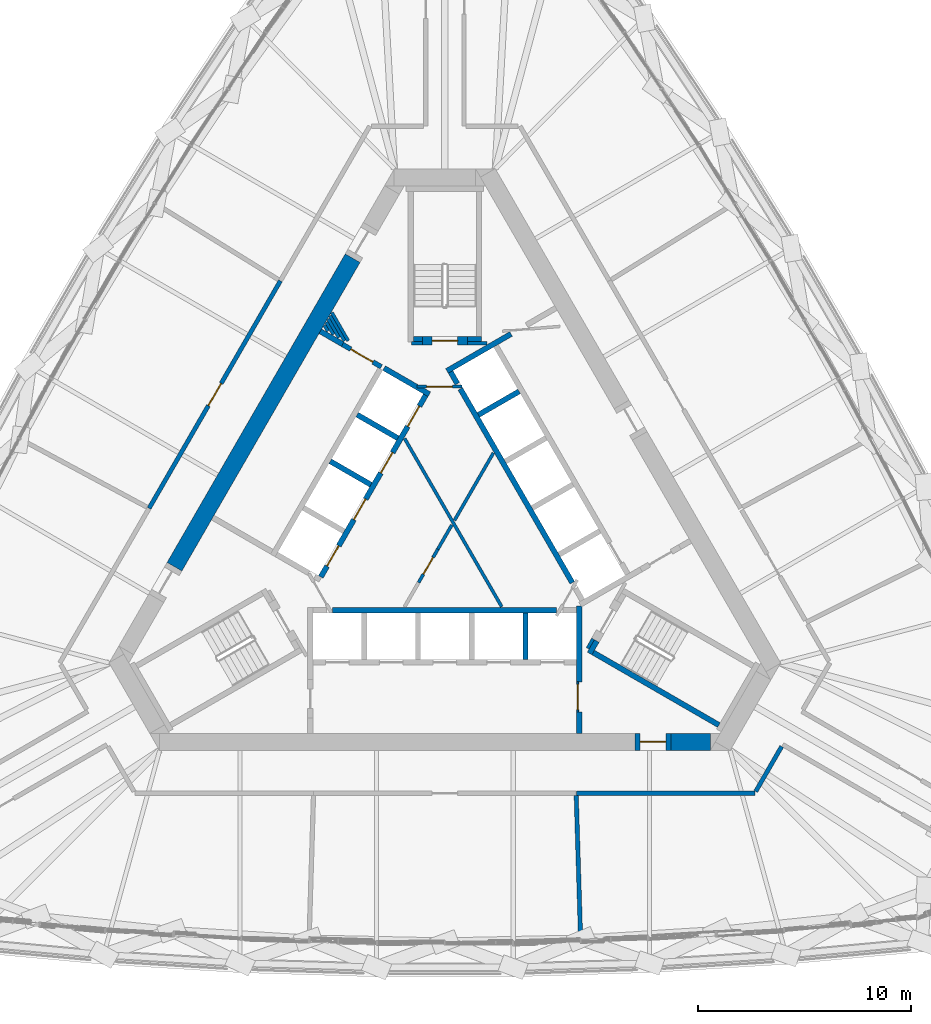
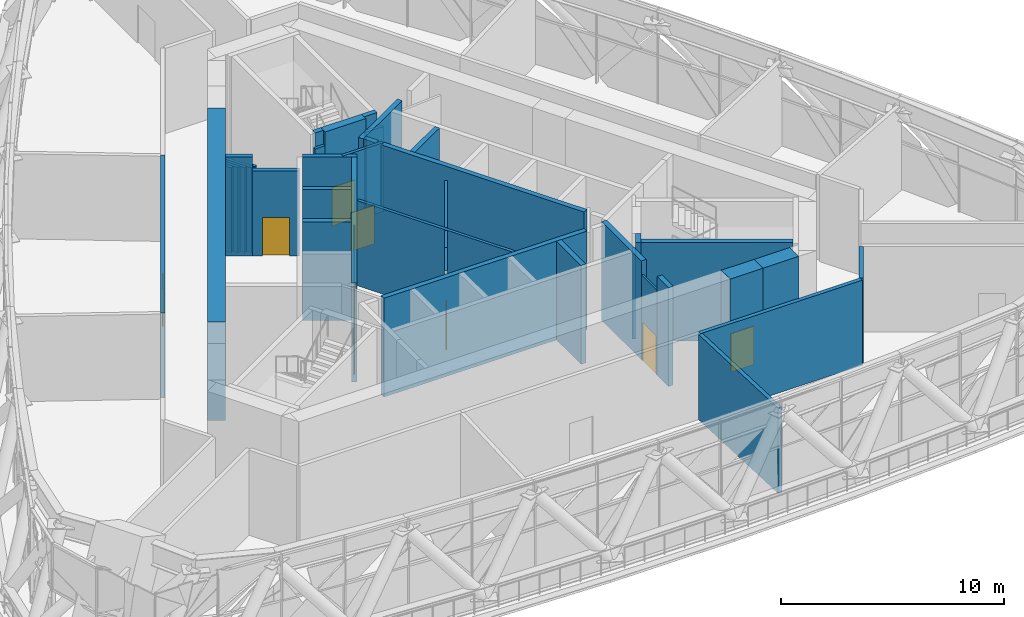
# One storey, part 23 of 35: 40 walls, 11 doors, 11 openings.
"""IFC4 building model written with IfcOpenShell, lengths in metres."""

from ifc_helpers import new_model, si_unit, direction, frame, frame_2d, origin, place, context, subcontext, project, spatial, polyline, rectangle, outline, extrude, material, layer, layer_set, type_object, element, fill, save


model = new_model("IFC4")

# Units and contexts
model_context = context("Model", 3, precision=1e-05, world=origin(), true_north=direction((0.0, 1.0)))
body_context = subcontext(model_context, "Body", "Model", "MODEL_VIEW")
ifc_project = project(units=[si_unit("LENGTHUNIT", "METRE"), si_unit("AREAUNIT", "SQUARE_METRE"), si_unit("VOLUMEUNIT", "CUBIC_METRE"), si_unit("PLANEANGLEUNIT", "RADIAN"), si_unit("MASSUNIT", "GRAM", prefix="KILO")], contexts=[model_context])

# Site, building, storey
site_placement = place(None, origin())
site = spatial("IfcSite", under=ifc_project, at=site_placement, CompositionType="ELEMENT")
building_placement = place(site_placement, origin())
building = spatial("IfcBuilding", under=site, at=building_placement, Name="Mestral Congress Tower", CompositionType="ELEMENT")
storey_placement = place(building_placement, frame((0.0, 0.0, 196.199951171875)))
storey = spatial("IfcBuildingStorey", under=building, at=storey_placement, Name="L46", CompositionType="ELEMENT", Elevation=196.199951171875)

# Walls
ifc_material_1 = material(Name="Fire-rated board partition")
ifc_layer_1 = layer(ifc_material_1, 0.14990234375)
ifc_layer_set_1 = layer_set([ifc_layer_1], Name="Fire-rated board partition")
wall_type_1 = type_object("IfcWallType", Name="Core partition 150", PredefinedType="PARTITIONING", material=ifc_layer_set_1)
wall_1_placement = place(storey_placement, frame((-5.2939453125, 10.067138671875, 0.0), z_axis=(0.0, 0.0, 1.0), x_axis=(0.500054140411, -0.865994143547, 0.0)))
element("IfcWall", 1, at=wall_1_placement, inside=storey, type_object=wall_type_1, Name="L46 core wall", PredefinedType="PARTITIONING", context=body_context, shape_type="SweptSolid", body=[
    extrude(rectangle(XDim=1.529052734375, YDim=0.14990234375, at=frame_2d((0.7646484375, 0.0))), origin(), (0.0, 0.0, 1.0), 4.650146484375),
])
wall_2_placement = place(storey_placement, frame((-5.380615234375, 9.917236328125, 0.0), z_axis=(0.0, 0.0, 1.0), x_axis=(0.500136970483, -0.865946309396, 0.0)))
element("IfcWall", 2, at=wall_2_placement, inside=storey, type_object=wall_type_1, Name="L46 core wall", PredefinedType="PARTITIONING", context=body_context, shape_type="SweptSolid", body=[
    extrude(rectangle(XDim=1.359375, YDim=0.14990234375, at=frame_2d((0.6796875, 0.0))), origin(), (0.0, 0.0, 1.0), 4.650146484375),
])
wall_3_placement = place(storey_placement, frame((-5.467041015625, 9.76708984375, 0.0), z_axis=(0.0, 0.0, 1.0), x_axis=(0.500168849293, -0.86592789665, 0.0)))
element("IfcWall", 3, at=wall_3_placement, inside=storey, type_object=wall_type_1, Name="L46 core wall", PredefinedType="PARTITIONING", context=body_context, shape_type="SweptSolid", body=[
    extrude(rectangle(XDim=1.010009765625, YDim=0.14990234375, at=frame_2d((0.5048828125, 0.0))), origin(), (0.0, 0.0, 1.0), 4.650146484375),
])
wall_4_placement = place(storey_placement, frame((-5.5537109375, 9.6171875, 0.0), z_axis=(0.0, 0.0, 1.0), x_axis=(0.500253084543, -0.86587923604, 0.0)))
element("IfcWall", 4, at=wall_4_placement, inside=storey, type_object=wall_type_1, Name="L46 core wall", PredefinedType="PARTITIONING", context=body_context, shape_type="SweptSolid", body=[
    extrude(rectangle(XDim=0.663818359375, YDim=0.14990234375, at=frame_2d((0.33203125, 0.0))), origin(), (0.0, 0.0, 1.0), 4.650146484375),
])
wall_5_placement = place(storey_placement, frame((-5.640380859375, 9.46728515625, 0.0), z_axis=(0.0, 0.0, 1.0), x_axis=(0.499944387978, -0.86605750902, 0.0)))
element("IfcWall", 5, at=wall_5_placement, inside=storey, type_object=wall_type_1, Name="L46 core wall", PredefinedType="PARTITIONING", context=body_context, shape_type="SweptSolid", body=[
    extrude(rectangle(XDim=0.3173828125, YDim=0.14990234375, at=frame_2d((0.15869140625, 0.0))), origin(), (0.0, 0.0, 1.0), 4.650146484375),
])
wall_6_placement = place(storey_placement, frame((1.050048828125, 8.62548828125, 0.0), z_axis=(0.0, 0.0, 1.0), x_axis=(1.0, 0.0, 0.0)))
element("IfcWall", 6, at=wall_6_placement, inside=storey, type_object=wall_type_1, Name="L46 core wall", PredefinedType="PARTITIONING", context=body_context, shape_type="SweptSolid", body=[
    extrude(rectangle(XDim=0.9287109375, YDim=0.14990234375, at=frame_2d((0.46435546875, 0.0))), origin(), (0.0, 0.0, 1.0), 4.650146484375),
])
for number, where, z_axis, x_axis, name in (
    (7, (-1.56396484375, 8.62548828125, 0.0), (0.0, 0.0, 1.0), (1.0, 0.0, 0.0), "L46 core wall"),
    (8, (6.94482421875, -5.22216796875, 0.0), (0.0, 0.0, 1.0), (-0.499818422106, -0.866130212453, 0.0), "L46 core wall"),
):
    element("IfcWall", number, at=place(storey_placement, frame(where, z_axis=z_axis, x_axis=x_axis)), inside=storey, type_object=wall_type_1, Name=name, PredefinedType="PARTITIONING", context=body_context, shape_type="SweptSolid", body=[
        extrude(rectangle(XDim=0.513916015625, YDim=0.14990234375, at=frame_2d((0.2568359375, 0.0))), origin(), (0.0, 0.0, 1.0), 4.650146484375),
    ])
wall_7_placement = place(storey_placement, frame((-1.886962890625, 4.168212890625, 0.0), z_axis=(0.0, 0.0, 1.0), x_axis=(0.499997069472, -0.866027095719, 0.0)))
element("IfcWall", 9, at=wall_7_placement, inside=storey, type_object=wall_type_1, Name="L46 core wall", PredefinedType="PARTITIONING", context=body_context, shape_type="SweptSolid", body=[
    extrude(rectangle(XDim=9.1064453125, YDim=0.14990234375, at=frame_2d((4.55322265625, 0.0))), origin(), (0.0, 0.0, 1.0), 4.650146484375),
])
wall_8_placement = place(storey_placement, frame((-0.329345703125, -1.0205078125, 0.0), z_axis=(0.0, 0.0, 1.0), x_axis=(0.500033191285, 0.866006239939, 0.0)))
element("IfcWall", 10, at=wall_8_placement, inside=storey, type_object=wall_type_1, Name="L46 core wall", PredefinedType="PARTITIONING", context=body_context, shape_type="SweptSolid", body=[
    extrude(rectangle(XDim=1.31494140625, YDim=0.14990234375, at=frame_2d((0.657470703125, 0.0))), origin(), (0.0, 0.0, 1.0), 4.650146484375),
])
wall_9_placement = place(storey_placement, frame((2.276611328125, 3.4931640625, 0.0), z_axis=(0.0, 0.0, 1.0), x_axis=(-0.499994550825, -0.866028549844, 0.0)))
element("IfcWall", 11, at=wall_9_placement, inside=storey, type_object=wall_type_1, Name="L46 core wall", PredefinedType="PARTITIONING", context=body_context, shape_type="SweptSolid", body=[
    extrude(rectangle(XDim=3.650390625, YDim=0.14990234375, at=frame_2d((1.8251953125, 0.0))), origin(), (0.0, 0.0, 1.0), 4.650146484375),
])

# Wall, opening, door
wall_10_placement = place(storey_placement, frame((-1.2294921875, -2.579345703125, 0.0), z_axis=(0.0, 0.0, 1.0), x_axis=(0.500062916607, 0.865989075817, 0.0)))
wall_10 = element("IfcWall", 12, at=wall_10_placement, inside=storey, type_object=wall_type_1, Name="L46 door wall", PredefinedType="PARTITIONING", context=body_context, shape_type="SweptSolid", body=[
    extrude(rectangle(XDim=1.800048828125, YDim=0.14990234375, at=frame_2d((0.89990234375, 0.0))), origin(), (0.0, 0.0, 1.0), 4.650146484375),
])
opening_1_placement = place(wall_10_placement, frame((0.449951171875, 0.0, 0.0)))
opening_1 = element("IfcOpeningElement", 13, at=opening_1_placement, cuts=wall_10, Name="Opening SD-HUB2", PredefinedType="OPENING", context=body_context, shape_type="SweptSolid", body=[
    extrude(rectangle(XDim=0.89990234375, YDim=2.10009765625, at=frame_2d((0.449951171875, 1.050048828125))), frame((0.0, 0.0849609375, 0.0), z_axis=(0.0, -1.0, 0.0), x_axis=(1.0, 0.0, 0.0)), (0.0, 0.0, 1.0), 0.169921875),
])
ifc_material_2 = material(Name="Fire-rated steel door set", Category="steel")
door_type_1 = type_object("IfcDoorType", Name="Core door SR 900x2100", OperationType="SINGLE_SWING_LEFT", PredefinedType="DOOR", material=ifc_material_2)
door_1_placement = place(opening_1_placement, origin())
door_1 = element("IfcDoor", 14, at=door_1_placement, inside=storey, type_object=door_type_1, Name="Door SD-HUB2", OperationType="SINGLE_SWING_LEFT", OverallHeight=2.10009765625, OverallWidth=0.89990234375, PredefinedType="DOOR", context=body_context, shape_type="SweptSolid", body=[
    extrude(rectangle(XDim=0.89990234375, YDim=2.10009765625, at=frame_2d((0.449951171875, 1.050048828125))), frame((0.0, 0.02490234375, 0.0), z_axis=(0.0, -1.0, 0.0), x_axis=(1.0, 0.0, 0.0)), (0.0, 0.0, 1.0), 0.050048828125),
])
fill(opening_1, door_1)

ifc_layer_2 = layer(ifc_material_1, 0.22607421875)
ifc_layer_set_2 = layer_set([ifc_layer_2], Name="Fire-rated board partition")
wall_type_2 = type_object("IfcWallType", Name="Core partition 150 door-wall 226", PredefinedType="PARTITIONING", material=ifc_layer_set_2)
wall_11_placement = place(storey_placement, frame((-4.796142578125, 8.5751953125, 0.0), z_axis=(0.0, 0.0, 1.0), x_axis=(0.866009402589, -0.500027713859, 0.0)))
wall_11 = element("IfcWall", 15, at=wall_11_placement, inside=storey, type_object=wall_type_2, Name="L46 door wall", PredefinedType="PARTITIONING", context=body_context, shape_type="SweptSolid", body=[
    extrude(rectangle(XDim=2.10009765625, YDim=0.226318359375, at=frame_2d((1.050048828125, 0.0))), origin(), (0.0, 0.0, 1.0), 4.650146484375),
])
opening_2_placement = place(wall_11_placement, frame((0.449951171875, 0.0, 0.0)))
opening_2 = element("IfcOpeningElement", 16, at=opening_2_placement, cuts=wall_11, Name="Opening LB2-WL2", PredefinedType="OPENING", context=body_context, shape_type="SweptSolid", body=[
    extrude(rectangle(XDim=1.199951171875, YDim=2.10009765625, at=frame_2d((0.60009765625, 1.050048828125))), frame((0.0, 0.123046875, 0.0), z_axis=(0.0, -1.0, 0.0), x_axis=(1.0, 0.0, 0.0)), (0.0, 0.0, 1.0), 0.246337890625),
])
door_type_2 = type_object("IfcDoorType", Name="Core door LB 1200x2100", OperationType="SINGLE_SWING_LEFT", PredefinedType="DOOR", material=ifc_material_2)
door_2_placement = place(opening_2_placement, origin())
door_2 = element("IfcDoor", 17, at=door_2_placement, inside=storey, type_object=door_type_2, Name="Door LB2-WL2", OperationType="SINGLE_SWING_LEFT", OverallHeight=2.10009765625, OverallWidth=1.199951171875, PredefinedType="DOOR", context=body_context, shape_type="SweptSolid", body=[
    extrude(rectangle(XDim=1.199951171875, YDim=2.10009765625, at=frame_2d((0.60009765625, 1.050048828125))), frame((0.0, 0.02490234375, 0.0), z_axis=(0.0, -1.0, 0.0), x_axis=(1.0, 0.0, 0.0)), (0.0, 0.0, 1.0), 0.050048828125),
])
fill(opening_2, door_2)

ifc_layer_3 = layer(ifc_material_1, 0.090087890625)
ifc_layer_set_3 = layer_set([ifc_layer_3], Name="Fire-rated board partition")
wall_type_3 = type_object("IfcWallType", Name="Core partition 150 door-wall 90", PredefinedType="PARTITIONING", material=ifc_layer_set_3)
wall_12_placement = place(storey_placement, frame((6.219970703125, -7.23681640625, 0.0), z_axis=(0.0, 0.0, 1.0), x_axis=(0.0, -1.0, 0.0)))
wall_12 = element("IfcWall", 18, at=wall_12_placement, inside=storey, type_object=wall_type_3, Name="L46 door wall", PredefinedType="PARTITIONING", context=body_context, shape_type="SweptSolid", body=[
    extrude(rectangle(XDim=1.400146484375, YDim=0.090087890625, at=frame_2d((0.7001953125, 0.0))), origin(), (0.0, 0.0, 1.0), 4.650146484375),
])
opening_3_placement = place(wall_12_placement, frame((0.10009765625, 0.0, 0.0)))
opening_3 = element("IfcOpeningElement", 19, at=opening_3_placement, cuts=wall_12, Name="Opening LB0-WL1", PredefinedType="OPENING", context=body_context, shape_type="SweptSolid", body=[
    extrude(rectangle(XDim=1.199951171875, YDim=2.10009765625, at=frame_2d((0.60009765625, 1.050048828125))), frame((0.0, 0.054931640625, 0.0), z_axis=(0.0, -1.0, 0.0), x_axis=(1.0, 0.0, 0.0)), (0.0, 0.0, 1.0), 0.110107421875),
])
door_3_placement = place(opening_3_placement, origin())
door_3 = element("IfcDoor", 20, at=door_3_placement, inside=storey, type_object=door_type_2, Name="Door LB0-WL1", OperationType="SINGLE_SWING_LEFT", OverallHeight=2.10009765625, OverallWidth=1.199951171875, PredefinedType="DOOR", context=body_context, shape_type="SweptSolid", body=[
    extrude(rectangle(XDim=1.199951171875, YDim=2.10009765625, at=frame_2d((0.60009765625, 1.050048828125))), frame((0.0, 0.02490234375, 0.0), z_axis=(0.0, -1.0, 0.0), x_axis=(1.0, 0.0, 0.0)), (0.0, 0.0, 1.0), 0.050048828125),
])
fill(opening_3, door_3)

# Walls
ifc_material_3 = material(Name="Concrete C60/75", Category="concrete")
ifc_layer_4 = layer(ifc_material_3, 0.800048828125)
ifc_layer_set_4 = layer_set([ifc_layer_4], Name="Concrete C60/75")
wall_type_4 = type_object("IfcWallType", Name="Core wall RC 800", PredefinedType="SOLIDWALL", material=ifc_layer_set_4)
wall_13_placement = place(storey_placement, frame((10.6044921875, -10.050048828125, 0.0), z_axis=(0.0, 0.0, 1.0), x_axis=(1.0, 0.0, 0.0)))
element("IfcWall", 21, at=wall_13_placement, inside=storey, type_object=wall_type_4, Name="L46 core wall", PredefinedType="SOLIDWALL", context=body_context, shape_type="SweptSolid", body=[
    extrude(rectangle(XDim=1.849365234375, YDim=0.800048828125, at=frame_2d((0.9248046875, 0.0))), origin(), (0.0, 0.0, 1.0), 5.400146484375),
])
wall_14_placement = place(storey_placement, frame((-4.32080078125, 12.615966796875, 0.0), z_axis=(0.0, 0.0, 1.0), x_axis=(-0.500009809857, -0.866019739987, 0.0)))
element("IfcWall", 22, at=wall_14_placement, inside=storey, type_object=wall_type_4, Name="L46 core wall", PredefinedType="SOLIDWALL", context=body_context, shape_type="SweptSolid", body=[
    extrude(rectangle(XDim=16.694580078125, YDim=0.800048828125, at=frame_2d((8.34716796875, 0.0))), origin(), (0.0, 0.0, 1.0), 5.400146484375),
])

# Wall, opening, door
wall_15_placement = place(storey_placement, frame((10.6044921875, -10.050048828125, 0.0), z_axis=(0.0, 0.0, 1.0), x_axis=(-1.0, 0.0, 0.0)))
wall_15 = element("IfcWall", 23, at=wall_15_placement, inside=storey, type_object=wall_type_4, Name="L46 door wall", PredefinedType="SOLIDWALL", context=body_context, shape_type="SweptSolid", body=[
    extrude(rectangle(XDim=1.699951171875, YDim=0.800048828125, at=frame_2d((0.85009765625, 0.0))), origin(), (0.0, 0.0, 1.0), 5.400146484375),
])
opening_4_placement = place(wall_15_placement, frame((0.25, 0.0, 0.0)))
opening_4 = element("IfcOpeningElement", 24, at=opening_4_placement, cuts=wall_15, Name="Opening XD1", PredefinedType="OPENING", context=body_context, shape_type="SweptSolid", body=[
    extrude(rectangle(XDim=1.199951171875, YDim=2.10009765625, at=frame_2d((0.60009765625, 1.050048828125))), frame((0.0, 0.409912109375, 0.0), z_axis=(0.0, -1.0, 0.0), x_axis=(1.0, 0.0, 0.0)), (0.0, 0.0, 1.0), 0.820068359375),
])
door_type_3 = type_object("IfcDoorType", Name="Core door XD 1200x2100", OperationType="SINGLE_SWING_LEFT", PredefinedType="DOOR", material=ifc_material_2)
door_4_placement = place(opening_4_placement, origin())
door_4 = element("IfcDoor", 25, at=door_4_placement, inside=storey, type_object=door_type_3, Name="Door XD1", OperationType="SINGLE_SWING_LEFT", OverallHeight=2.10009765625, OverallWidth=1.199951171875, PredefinedType="DOOR", context=body_context, shape_type="SweptSolid", body=[
    extrude(rectangle(XDim=1.199951171875, YDim=2.10009765625, at=frame_2d((0.60009765625, 1.050048828125))), frame((0.0, 0.02490234375, 0.0), z_axis=(0.0, -1.0, 0.0), x_axis=(1.0, 0.0, 0.0)), (0.0, 0.0, 1.0), 0.050048828125),
])
fill(opening_4, door_4)

# Walls
ifc_layer_5 = layer(ifc_material_3, 0.25)
ifc_layer_set_5 = layer_set([ifc_layer_5], Name="Concrete C60/75")
wall_type_5 = type_object("IfcWallType", Name="Shaft wall RC 250", PredefinedType="SOLIDWALL", material=ifc_layer_set_5)
wall_16_placement = place(storey_placement, frame((-5.25927734375, -3.875, 0.0), z_axis=(0.0, 0.0, 1.0), x_axis=(1.0, 0.0, 0.0)))
element("IfcWall", 26, at=wall_16_placement, inside=storey, type_object=wall_type_5, Name="L46 core wall", PredefinedType="SOLIDWALL", context=body_context, shape_type="SweptSolid", body=[
    extrude(rectangle(XDim=10.488525390625, YDim=0.25, at=frame_2d((5.244140625, 0.0))), origin(), (0.0, 0.0, 1.0), 5.400146484375),
])
wall_17_placement = place(storey_placement, frame((3.780029296875, -4.0, 0.0), z_axis=(0.0, 0.0, 1.0), x_axis=(0.0, -1.0, 0.0)))
element("IfcWall", 27, at=wall_17_placement, inside=storey, type_object=wall_type_5, Name="L46 core wall", PredefinedType="SOLIDWALL", context=body_context, shape_type="SweptSolid", body=[
    extrude(rectangle(XDim=2.199951171875, YDim=0.25, at=frame_2d((1.10009765625, 0.0))), origin(), (0.0, 0.0, 1.0), 5.400146484375),
])
wall_18_placement = place(storey_placement, frame((6.300048828125, -7.239990234375, 0.0), z_axis=(0.0, 0.0, 1.0), x_axis=(0.0, 1.0, 0.0)))
element("IfcWall", 28, at=wall_18_placement, inside=storey, type_object=wall_type_5, Name="L46 core wall", PredefinedType="SOLIDWALL", context=body_context, shape_type="SweptSolid", body=[
    extrude(rectangle(XDim=3.55615234375, YDim=0.25, at=frame_2d((1.778076171875, 0.0))), origin(), (0.0, 0.0, 1.0), 5.400146484375),
])
wall_19_placement = place(storey_placement, frame((6.300048828125, -9.64990234375, 0.0), z_axis=(0.0, 0.0, 1.0), x_axis=(0.0, 1.0, 0.0)))
element("IfcWall", 29, at=wall_19_placement, inside=storey, type_object=wall_type_5, Name="L46 core wall", PredefinedType="SOLIDWALL", context=body_context, shape_type="SweptSolid", body=[
    extrude(rectangle(XDim=1.0078125, YDim=0.25, at=frame_2d((0.50390625, 0.0))), origin(), (0.0, 0.0, 1.0), 5.400146484375),
])
wall_20_placement = place(storey_placement, frame((3.10009765625, 9.064453125, 0.0), z_axis=(0.0, 0.0, 1.0), x_axis=(-0.866033137035, -0.499986605379, 0.0)))
element("IfcWall", 30, at=wall_20_placement, inside=storey, type_object=wall_type_5, Name="L46 core wall", PredefinedType="SOLIDWALL", context=body_context, shape_type="SweptSolid", body=[
    extrude(rectangle(XDim=3.466796875, YDim=0.25, at=frame_2d((1.7333984375, 0.0))), origin(), (0.0, 0.0, 1.0), 5.400146484375),
])
wall_21_placement = place(storey_placement, frame((0.268310546875, 7.28515625, 0.0), z_axis=(0.0, 0.0, 1.0), x_axis=(0.500098681536, -0.865968422476, 0.0)))
element("IfcWall", 31, at=wall_21_placement, inside=storey, type_object=wall_type_5, Name="L46 core wall", PredefinedType="SOLIDWALL", context=body_context, shape_type="SweptSolid", body=[
    extrude(rectangle(XDim=0.636474609375, YDim=0.25, at=frame_2d((0.318359375, 0.0))), origin(), (0.0, 0.0, 1.0), 5.400146484375),
])
wall_22_placement = place(storey_placement, frame((5.970458984375, -2.591064453125, 0.0), z_axis=(0.0, 0.0, 1.0), x_axis=(-0.499994469932, 0.866028596547, 0.0)))
element("IfcWall", 32, at=wall_22_placement, inside=storey, type_object=wall_type_5, Name="L46 core wall", PredefinedType="SOLIDWALL", context=body_context, shape_type="SweptSolid", body=[
    extrude(rectangle(XDim=10.48828125, YDim=0.25, at=frame_2d((5.244140625, 0.0))), origin(), (0.0, 0.0, 1.0), 5.400146484375),
])
wall_23_placement = place(storey_placement, frame((1.57421875, 5.273681640625, 0.0), z_axis=(0.0, 0.0, 1.0), x_axis=(0.866028486751, 0.499994660107, 0.0)))
element("IfcWall", 33, at=wall_23_placement, inside=storey, type_object=wall_type_5, Name="L46 core wall", PredefinedType="SOLIDWALL", context=body_context, shape_type="SweptSolid", body=[
    extrude(rectangle(XDim=2.19970703125, YDim=0.25, at=frame_2d((1.099853515625, 0.0))), origin(), (0.0, 0.0, 1.0), 5.400146484375),
])
wall_24_placement = place(storey_placement, origin())
element("IfcWall", 34, at=wall_24_placement, inside=storey, type_object=wall_type_5, Name="L46 core wall", PredefinedType="SOLIDWALL", context=body_context, shape_type="SweptSolid", body=[
    extrude(outline(polyline([(-2.911865234375, 7.3564453125), (-2.786865234375, 7.572998046875), (-1.231689453125, 6.675048828125), (-1.303466796875, 6.675048828125), (-1.3037109375, 6.675048828125), (-1.3037109375, 6.675048828125), (-1.3037109375, 6.52490234375), (-1.3037109375, 6.52490234375), (-1.303466796875, 6.52490234375), (-0.971435546875, 6.52490234375), (-0.6650390625, 6.347900390625), (-0.7900390625, 6.131591796875), (-1.006591796875, 6.256591796875), (-1.006591796875, 6.256591796875), (-2.911865234375, 7.3564453125)])), origin(), (0.0, 0.0, 1.0), 5.400146484375),
])
for number, where, z_axis, x_axis, name in (
    (35, (-2.2041015625, 4.182373046875, 0.0), (0.0, 0.0, 1.0), (-0.866008176907, 0.50002983664, 0.0), "L46 core wall"),
    (36, (-5.369384765625, 3.10009765625, 0.0), (0.0, 0.0, 1.0), (0.866008176907, -0.50002983664, 0.0), "L46 core wall"),
):
    element("IfcWall", number, at=place(storey_placement, frame(where, z_axis=z_axis, x_axis=x_axis)), inside=storey, type_object=wall_type_5, Name=name, PredefinedType="SOLIDWALL", context=body_context, shape_type="SweptSolid", body=[
        extrude(rectangle(XDim=2.199951171875, YDim=0.25, at=frame_2d((1.10009765625, 0.0))), origin(), (0.0, 0.0, 1.0), 5.400146484375),
    ])
wall_25_placement = place(storey_placement, frame((-5.837158203125, 9.189697265625, 0.0), z_axis=(0.0, 0.0, 1.0), x_axis=(0.866024298998, -0.500001913541, 0.0)))
element("IfcWall", 37, at=wall_25_placement, inside=storey, type_object=wall_type_5, Name="L46 core wall", PredefinedType="SOLIDWALL", context=body_context, shape_type="SweptSolid", body=[
    extrude(rectangle(XDim=1.2099609375, YDim=0.25, at=frame_2d((0.60498046875, 0.0))), origin(), (0.0, 0.0, 1.0), 5.400146484375),
])

# Wall, openings, doors
wall_26_placement = place(storey_placement, frame((-0.898193359375, 6.194091796875, 0.0), z_axis=(0.0, 0.0, 1.0), x_axis=(-0.499996202215, -0.866027596426, 0.0)))
wall_26 = element("IfcWall", 38, at=wall_26_placement, inside=storey, type_object=wall_type_5, Name="L46 door wall", PredefinedType="SOLIDWALL", context=body_context, shape_type="SweptSolid", body=[
    extrude(rectangle(XDim=9.830078125, YDim=0.25, at=frame_2d((4.9150390625, 0.0))), origin(), (0.0, 0.0, 1.0), 5.400146484375),
])
opening_5_placement = place(wall_26_placement, frame((0.5849609375, 0.0, 0.0)))
opening_5 = element("IfcOpeningElement", 39, at=opening_5_placement, cuts=wall_26, Name="Opening LD-NWB1", PredefinedType="OPENING", context=body_context, shape_type="SweptSolid", body=[
    extrude(rectangle(XDim=1.10009765625, YDim=2.10009765625, at=frame_2d((0.550048828125, 1.050048828125))), frame((0.0, 0.135009765625, 0.0), z_axis=(0.0, -1.0, 0.0), x_axis=(1.0, 0.0, 0.0)), (0.0, 0.0, 1.0), 0.27001953125),
])
opening_6_placement = place(wall_26_placement, frame((3.10498046875, 0.0, 0.0)))
opening_6 = element("IfcOpeningElement", 40, at=opening_6_placement, cuts=wall_26, Name="Opening LD-NWB2", PredefinedType="OPENING", context=body_context, shape_type="SweptSolid", body=[
    extrude(rectangle(XDim=1.10009765625, YDim=2.10009765625, at=frame_2d((0.550048828125, 1.050048828125))), frame((0.0, 0.135009765625, 0.0), z_axis=(0.0, -1.0, 0.0), x_axis=(1.0, 0.0, 0.0)), (0.0, 0.0, 1.0), 0.27001953125),
])
opening_7_placement = place(wall_26_placement, frame((5.625, 0.0, 0.0)))
opening_7 = element("IfcOpeningElement", 41, at=opening_7_placement, cuts=wall_26, Name="Opening LD-NWB3", PredefinedType="OPENING", context=body_context, shape_type="SweptSolid", body=[
    extrude(rectangle(XDim=1.10009765625, YDim=2.10009765625, at=frame_2d((0.550048828125, 1.050048828125))), frame((0.0, 0.135009765625, 0.0), z_axis=(0.0, -1.0, 0.0), x_axis=(1.0, 0.0, 0.0)), (0.0, 0.0, 1.0), 0.27001953125),
])
opening_8_placement = place(wall_26_placement, frame((8.14501953125, 0.0, 0.0)))
opening_8 = element("IfcOpeningElement", 42, at=opening_8_placement, cuts=wall_26, Name="Opening LD-NWB4", PredefinedType="OPENING", context=body_context, shape_type="SweptSolid", body=[
    extrude(rectangle(XDim=1.10009765625, YDim=2.10009765625, at=frame_2d((0.550048828125, 1.050048828125))), frame((0.0, 0.135009765625, 0.0), z_axis=(0.0, -1.0, 0.0), x_axis=(1.0, 0.0, 0.0)), (0.0, 0.0, 1.0), 0.27001953125),
])
door_type_4 = type_object("IfcDoorType", Name="Core door LD 1100x2100", OperationType="DOUBLE_DOOR_SLIDING", PredefinedType="DOOR", material=ifc_material_2)
door_5_placement = place(opening_5_placement, origin())
door_5 = element("IfcDoor", 43, at=door_5_placement, inside=storey, type_object=door_type_4, Name="Door LD-NWB1", OperationType="DOUBLE_DOOR_SLIDING", OverallHeight=2.10009765625, OverallWidth=1.10009765625, PredefinedType="DOOR", context=body_context, shape_type="SweptSolid", body=[
    extrude(rectangle(XDim=1.10009765625, YDim=2.10009765625, at=frame_2d((0.550048828125, 1.050048828125))), frame((0.0, 0.02490234375, 0.0), z_axis=(0.0, -1.0, 0.0), x_axis=(1.0, 0.0, 0.0)), (0.0, 0.0, 1.0), 0.050048828125),
])
fill(opening_5, door_5)
door_6_placement = place(opening_6_placement, origin())
door_6 = element("IfcDoor", 44, at=door_6_placement, inside=storey, type_object=door_type_4, Name="Door LD-NWB2", OperationType="DOUBLE_DOOR_SLIDING", OverallHeight=2.10009765625, OverallWidth=1.10009765625, PredefinedType="DOOR", context=body_context, shape_type="SweptSolid", body=[
    extrude(rectangle(XDim=1.10009765625, YDim=2.10009765625, at=frame_2d((0.550048828125, 1.050048828125))), frame((0.0, 0.02490234375, 0.0), z_axis=(0.0, -1.0, 0.0), x_axis=(1.0, 0.0, 0.0)), (0.0, 0.0, 1.0), 0.050048828125),
])
fill(opening_6, door_6)
door_7_placement = place(opening_7_placement, origin())
door_7 = element("IfcDoor", 45, at=door_7_placement, inside=storey, type_object=door_type_4, Name="Door LD-NWB3", OperationType="DOUBLE_DOOR_SLIDING", OverallHeight=2.10009765625, OverallWidth=1.10009765625, PredefinedType="DOOR", context=body_context, shape_type="SweptSolid", body=[
    extrude(rectangle(XDim=1.10009765625, YDim=2.10009765625, at=frame_2d((0.550048828125, 1.050048828125))), frame((0.0, 0.02490234375, 0.0), z_axis=(0.0, -1.0, 0.0), x_axis=(1.0, 0.0, 0.0)), (0.0, 0.0, 1.0), 0.050048828125),
])
fill(opening_7, door_7)
door_8_placement = place(opening_8_placement, origin())
door_8 = element("IfcDoor", 46, at=door_8_placement, inside=storey, type_object=door_type_4, Name="Door LD-NWB4", OperationType="DOUBLE_DOOR_SLIDING", OverallHeight=2.10009765625, OverallWidth=1.10009765625, PredefinedType="DOOR", context=body_context, shape_type="SweptSolid", body=[
    extrude(rectangle(XDim=1.10009765625, YDim=2.10009765625, at=frame_2d((0.550048828125, 1.050048828125))), frame((0.0, 0.02490234375, 0.0), z_axis=(0.0, -1.0, 0.0), x_axis=(1.0, 0.0, 0.0)), (0.0, 0.0, 1.0), 0.050048828125),
])
fill(opening_8, door_8)

# Wall, opening, door
ifc_layer_6 = layer(ifc_material_3, 0.14990234375)
ifc_layer_set_6 = layer_set([ifc_layer_6], Name="Concrete C60/75")
wall_type_6 = type_object("IfcWallType", Name="Shaft wall RC 250 door-wall 150", PredefinedType="SOLIDWALL", material=ifc_layer_set_6)
wall_27_placement = place(storey_placement, frame((-1.303466796875, 6.60009765625, 0.0), z_axis=(0.0, 0.0, 1.0), x_axis=(1.0, 0.0, 0.0)))
wall_27 = element("IfcWall", 47, at=wall_27_placement, inside=storey, type_object=wall_type_6, Name="L46 door wall", PredefinedType="PARTITIONING", context=body_context, shape_type="SweptSolid", body=[
    extrude(rectangle(XDim=2.099853515625, YDim=0.14990234375, at=frame_2d((1.0498046875, 0.0))), origin(), (0.0, 0.0, 1.0), 5.400146484375),
])
opening_9_placement = place(wall_27_placement, frame((0.449951171875, 0.0, 0.0)))
opening_9 = element("IfcOpeningElement", 48, at=opening_9_placement, cuts=wall_27, Name="Opening CD2-HUB1", PredefinedType="OPENING", context=body_context, shape_type="SweptSolid", body=[
    extrude(rectangle(XDim=1.199951171875, YDim=2.10009765625, at=frame_2d((0.60009765625, 1.050048828125))), frame((0.0, 0.0849609375, 0.0), z_axis=(0.0, -1.0, 0.0), x_axis=(1.0, 0.0, 0.0)), (0.0, 0.0, 1.0), 0.169921875),
])
door_type_5 = type_object("IfcDoorType", Name="Core door CD 1200x2100", OperationType="SINGLE_SWING_LEFT", PredefinedType="DOOR", material=ifc_material_2)
door_9_placement = place(opening_9_placement, origin())
door_9 = element("IfcDoor", 49, at=door_9_placement, inside=storey, type_object=door_type_5, Name="Door CD2-HUB1", OperationType="SINGLE_SWING_LEFT", OverallHeight=2.10009765625, OverallWidth=1.199951171875, PredefinedType="DOOR", context=body_context, shape_type="SweptSolid", body=[
    extrude(rectangle(XDim=1.199951171875, YDim=2.10009765625, at=frame_2d((0.60009765625, 1.050048828125))), frame((0.0, 0.02490234375, 0.0), z_axis=(0.0, -1.0, 0.0), x_axis=(1.0, 0.0, 0.0)), (0.0, 0.0, 1.0), 0.050048828125),
])
fill(opening_9, door_9)

ifc_material_4 = material(Name="Concrete block wall, plastered", Category="concrete")
ifc_layer_7 = layer(ifc_material_4, 0.199951171875)
ifc_layer_set_7 = layer_set([ifc_layer_7], Name="Concrete block wall, plastered")
wall_type_7 = type_object("IfcWallType", Name="Special partition 200 EI 120", PredefinedType="PARTITIONING", material=ifc_layer_set_7)
wall_28_placement = place(storey_placement, frame((-7.705810546875, 11.552978515625, 0.0), z_axis=(0.0, 0.0, 1.0), x_axis=(-0.500005845305, -0.86602202897, 0.0)))
wall_28 = element("IfcWall", 50, at=wall_28_placement, inside=storey, type_object=wall_type_7, Name="Partition", PredefinedType="PARTITIONING", context=body_context, shape_type="SweptSolid", body=[
    extrude(rectangle(XDim=12.304443359375, YDim=0.199951171875, at=frame_2d((6.15234375, 0.0))), origin(), (0.0, 0.0, 1.0), 4.650146484375),
])
opening_10_placement = place(wall_28_placement, frame((5.55224609375, 0.0, 0.0)))
opening_10 = element("IfcOpeningElement", 51, at=opening_10_placement, cuts=wall_28, Name="Opening S46-010", PredefinedType="OPENING", context=body_context, shape_type="SweptSolid", body=[
    extrude(rectangle(XDim=1.199951171875, YDim=2.10009765625, at=frame_2d((0.60009765625, 1.050048828125))), frame((0.0, 0.10986328125, 0.0), z_axis=(0.0, -1.0, 0.0), x_axis=(1.0, 0.0, 0.0)), (0.0, 0.0, 1.0), 0.219970703125),
])
door_type_6 = type_object("IfcDoorType", Name="Plant room door 1200x2100", OperationType="SINGLE_SWING_LEFT", PredefinedType="DOOR", material=ifc_material_2)
door_10_placement = place(opening_10_placement, origin())
door_10 = element("IfcDoor", 52, at=door_10_placement, inside=storey, type_object=door_type_6, Name="Door S46-010", OperationType="SINGLE_SWING_RIGHT", OverallHeight=2.10009765625, OverallWidth=1.199951171875, PredefinedType="DOOR", context=body_context, shape_type="SweptSolid", body=[
    extrude(rectangle(XDim=1.199951171875, YDim=2.10009765625, at=frame_2d((0.60009765625, 1.050048828125))), frame((0.0, 0.02490234375, 0.0), z_axis=(0.0, -1.0, 0.0), x_axis=(1.0, 0.0, 0.0)), (0.0, 0.0, 1.0), 0.050048828125),
])
fill(opening_10, door_10)

# Walls
wall_29_placement = place(storey_placement, frame((14.5205078125, -12.449951171875, 0.0), z_axis=(0.0, 0.0, 1.0), x_axis=(-1.0, 0.0, 0.0)))
element("IfcWall", 53, at=wall_29_placement, inside=storey, type_object=wall_type_7, Name="Partition", PredefinedType="PARTITIONING", context=body_context, shape_type="SweptSolid", body=[
    extrude(rectangle(XDim=8.358642578125, YDim=0.199951171875, at=frame_2d((4.17919921875, 0.0))), origin(), (0.0, 0.0, 1.0), 4.650146484375),
])
wall_30_placement = place(storey_placement, frame((6.155517578125, -12.559814453125, 0.0), z_axis=(0.0, 0.0, 1.0), x_axis=(0.030506894933, -0.999534556362, 0.0)))
element("IfcWall", 54, at=wall_30_placement, inside=storey, type_object=wall_type_7, Name="Partition", PredefinedType="PARTITIONING", context=body_context, shape_type="SweptSolid", body=[
    extrude(rectangle(XDim=6.75439453125, YDim=0.199951171875, at=frame_2d((3.377197265625, 0.0))), origin(), (0.0, 0.0, 1.0), 4.650146484375),
])
wall_31_placement = place(storey_placement, frame((15.78125, -10.26611328125, 0.0), z_axis=(0.0, 0.0, 1.0), x_axis=(-0.499983176524, -0.866035116605, 0.0)))
element("IfcWall", 55, at=wall_31_placement, inside=storey, type_object=wall_type_7, Name="Partition", PredefinedType="PARTITIONING", context=body_context, shape_type="SweptSolid", body=[
    extrude(rectangle(XDim=2.431640625, YDim=0.199951171875, at=frame_2d((1.2158203125, 0.0))), origin(), (0.0, 0.0, 1.0), 4.650146484375),
])
ifc_layer_8 = layer(ifc_material_3, 0.25)
ifc_layer_set_8 = layer_set([ifc_layer_8], Name="Concrete C60/75")
wall_type_8 = type_object("IfcWallType", Name="Stair wall RC 250", PredefinedType="SOLIDWALL", material=ifc_layer_set_8)
wall_32_placement = place(storey_placement, frame((12.83984375, -9.2607421875, 0.0), z_axis=(0.0, 0.0, 1.0), x_axis=(-0.866013990052, 0.500019768644, 0.0)))
element("IfcWall", 56, at=wall_32_placement, inside=storey, type_object=wall_type_8, Name="L46 core wall", PredefinedType="SOLIDWALL", context=body_context, shape_type="SweptSolid", body=[
    extrude(rectangle(XDim=6.800048828125, YDim=0.25, at=frame_2d((3.39990234375, 0.0))), origin(), (0.0, 0.0, 1.0), 5.400146484375),
])
for number, where, z_axis, x_axis, name in (
    (57, (6.780029296875, -5.906494140625, 0.0), (0.0, 0.0, 1.0), (0.500223362819, 0.865896406789, 0.0), "L46 core wall"),
    (58, (1.050048828125, 8.824951171875, 0.0), (0.0, 0.0, 1.0), (1.0, 0.0, 0.0), "L46 core wall"),
):
    element("IfcWall", number, at=place(storey_placement, frame(where, z_axis=z_axis, x_axis=x_axis)), inside=storey, type_object=wall_type_8, Name=name, PredefinedType="SOLIDWALL", context=body_context, shape_type="SweptSolid", body=[
        extrude(rectangle(XDim=0.675048828125, YDim=0.25, at=frame_2d((0.33740234375, 0.0))), origin(), (0.0, 0.0, 1.0), 5.400146484375),
    ])
wall_33_placement = place(storey_placement, frame((-1.47509765625, 8.824951171875, 0.0), z_axis=(0.0, 0.0, 1.0), x_axis=(1.0, 0.0, 0.0)))
element("IfcWall", 59, at=wall_33_placement, inside=storey, type_object=wall_type_8, Name="L46 core wall", PredefinedType="SOLIDWALL", context=body_context, shape_type="SweptSolid", body=[
    extrude(rectangle(XDim=0.425048828125, YDim=0.25, at=frame_2d((0.21240234375, 0.0))), origin(), (0.0, 0.0, 1.0), 5.400146484375),
])

# Wall, opening, door
ifc_layer_9 = layer(ifc_material_3, 0.39990234375)
ifc_layer_set_9 = layer_set([ifc_layer_9], Name="Concrete C60/75")
wall_type_9 = type_object("IfcWallType", Name="Stair wall RC 250 door-wall 400", PredefinedType="SOLIDWALL", material=ifc_layer_set_9)
wall_34_placement = place(storey_placement, frame((1.050048828125, 8.75, 0.0), z_axis=(0.0, 0.0, 1.0), x_axis=(-1.0, 0.0, 0.0)))
wall_34 = element("IfcWall", 60, at=wall_34_placement, inside=storey, type_object=wall_type_9, Name="L46 door wall", PredefinedType="SOLIDWALL", context=body_context, shape_type="SweptSolid", body=[
    extrude(rectangle(XDim=2.10009765625, YDim=0.39990234375, at=frame_2d((1.050048828125, 0.0))), origin(), (0.0, 0.0, 1.0), 5.400146484375),
])
opening_11_placement = place(wall_34_placement, frame((0.449951171875, 0.0, 0.0)))
opening_11 = element("IfcOpeningElement", 61, at=opening_11_placement, cuts=wall_34, Name="Opening ST-D2", PredefinedType="OPENING", context=body_context, shape_type="SweptSolid", body=[
    extrude(rectangle(XDim=1.199951171875, YDim=2.10009765625, at=frame_2d((0.60009765625, 1.050048828125))), frame((0.0, 0.2099609375, 0.0), z_axis=(0.0, -1.0, 0.0), x_axis=(1.0, 0.0, 0.0)), (0.0, 0.0, 1.0), 0.419921875),
])
door_type_7 = type_object("IfcDoorType", Name="Core door ST 1200x2100", OperationType="SINGLE_SWING_LEFT", PredefinedType="DOOR", material=ifc_material_2)
door_11_placement = place(opening_11_placement, origin())
door_11 = element("IfcDoor", 62, at=door_11_placement, inside=storey, type_object=door_type_7, Name="Door ST-D2", OperationType="SINGLE_SWING_LEFT", OverallHeight=2.10009765625, OverallWidth=1.199951171875, PredefinedType="DOOR", context=body_context, shape_type="SweptSolid", body=[
    extrude(rectangle(XDim=1.199951171875, YDim=2.10009765625, at=frame_2d((0.60009765625, 1.050048828125))), frame((0.0, 0.02490234375, 0.0), z_axis=(0.0, -1.0, 0.0), x_axis=(1.0, 0.0, 0.0)), (0.0, 0.0, 1.0), 0.050048828125),
])
fill(opening_11, door_11)

save(model, "model.ifc")
